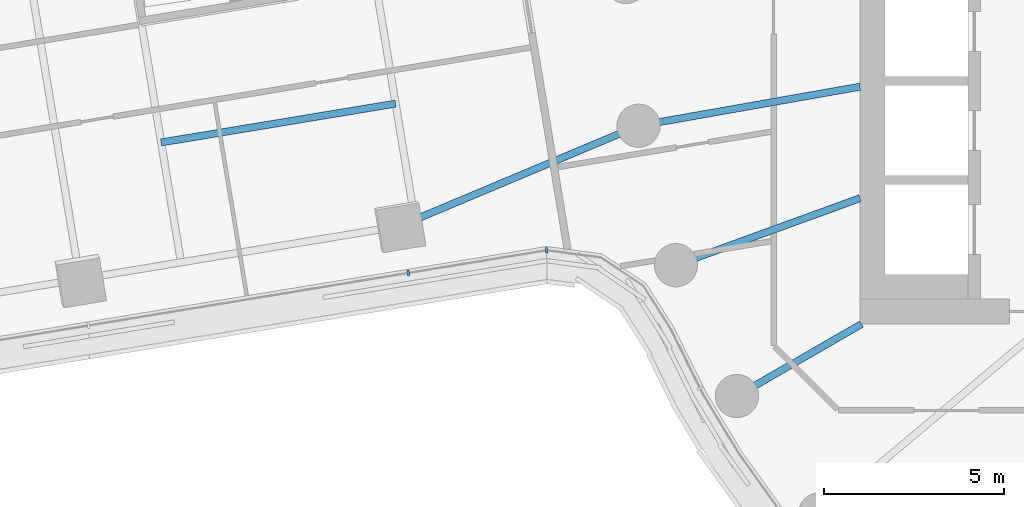
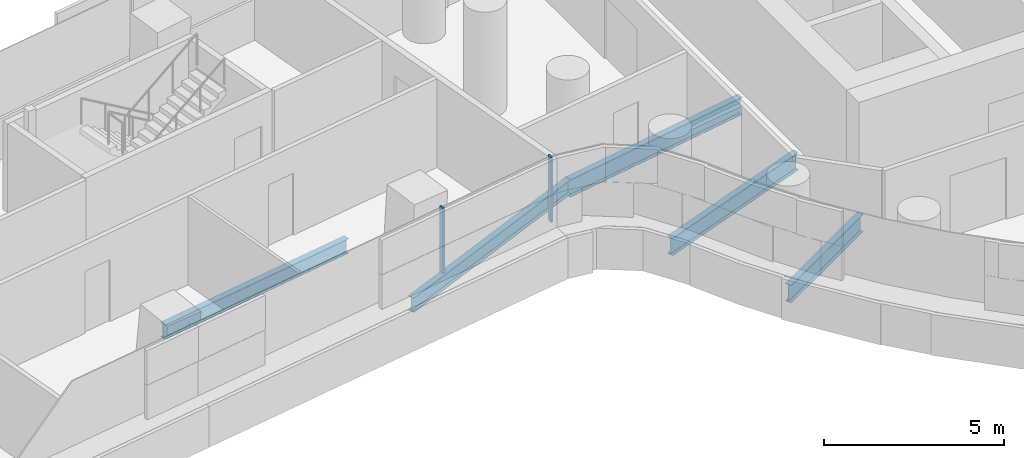
# One storey, part 7 of 32: 5 beams, 2 members, 2 elements without a shape of their own.
"""IFC4 building model written with IfcOpenShell, lengths in metres."""

import ifcopenshell
import ifcopenshell.guid

model = None  # the IFC model being written
_history = None  # IfcOwnerHistory: only IFC2X3 demands one
_inside = {}  # id of a spatial element -> (the spatial element, [elements in it])
_under = {}  # id of a project, library or spatial element -> (it, [spatial elements below it])
_declared = {}  # id of a project -> (the project, [libraries it declares])
_typed = {}  # id of a type object -> (the type object, [elements of that type])
_made_of = {}  # id of a material, layer set ... -> (it, [elements and type objects made of it])


def new_model(schema):
    """Start an empty IFC model of exactly this schema.

    Asked for "IFC4X3", IfcOpenShell would pick the latest addendum, in which some entities
    have other attributes; the version numbers below select the first issue.
    IFC2X3 requires an IfcOwnerHistory on every rooted entity: one is made here for all.
    """
    global model, _history
    if schema == "IFC4X3":
        model = ifcopenshell.file(schema_version=(4, 3, 0, 0))
    else:
        model = ifcopenshell.file(schema=schema)
    _inside.clear()
    _under.clear()
    _declared.clear()
    _typed.clear()
    _made_of.clear()
    _history = None
    if model.schema == "IFC2X3":
        org = make("IfcOrganization", Name="unknown")
        user = make(
            "IfcPersonAndOrganization",
            ThePerson=make("IfcPerson", FamilyName="unknown"),
            TheOrganization=org,
        )
        app = make(
            "IfcApplication",
            ApplicationDeveloper=org,
            Version="unknown",
            ApplicationFullName="unknown",
            ApplicationIdentifier="unknown",
        )
        _history = make(
            "IfcOwnerHistory",
            OwningUser=user,
            OwningApplication=app,
            ChangeAction="ADDED",
            CreationDate=0,
        )
    return model


def make(cls, **values):
    """One entity of the class cls with the attributes given. An attribute that is None is left unset."""
    return model.create_entity(
        cls, **{name: value for name, value in values.items() if value is not None}
    )


def rooted(cls, **values):
    """An entity with a GlobalId (a new one), such as an element, a storey or a relation."""
    return make(cls, GlobalId=ifcopenshell.guid.new(), OwnerHistory=_history, **values)


def si_unit(unit_type, name, prefix=None):
    """IfcSIUnit, for example si_unit("LENGTHUNIT", "METRE", prefix="MILLI")."""
    return make("IfcSIUnit", UnitType=unit_type, Prefix=prefix, Name=name)


def assignment(units):
    """IfcUnitAssignment: the units of a project."""
    return None if units is None else make("IfcUnitAssignment", Units=units)


def point(xyz):
    """IfcCartesianPoint."""
    return None if xyz is None else make("IfcCartesianPoint", Coordinates=xyz)


def direction(xyz):
    """IfcDirection."""
    return None if xyz is None else make("IfcDirection", DirectionRatios=xyz)


def frame(location, z_axis=None, x_axis=None):
    """IfcAxis2Placement3D, a coordinate frame: its origin and axes. An axis left out is left unset."""
    return make(
        "IfcAxis2Placement3D",
        Location=point(location),
        Axis=direction(z_axis),
        RefDirection=direction(x_axis),
    )


def frame_2d(location, x_axis=None):
    """IfcAxis2Placement2D, a coordinate frame in the plane: its origin and x axis."""
    return make(
        "IfcAxis2Placement2D", Location=point(location), RefDirection=direction(x_axis)
    )


def origin():
    """The frame at (0, 0, 0) with its axes left unset."""
    return frame((0.0, 0.0, 0.0))


def origin_2d():
    """The frame at (0, 0) in the plane with its x axis left unset."""
    return frame_2d((0.0, 0.0))


def place(relative_to, where):
    """IfcLocalPlacement: puts the frame where relative to a parent placement (None: the world)."""
    return make(
        "IfcLocalPlacement", PlacementRelTo=relative_to, RelativePlacement=where
    )


def context(
    kind, dimensions, precision=None, world=None, true_north=None, identifier=None
):
    """IfcGeometricRepresentationContext, for example the 3D "Model" context."""
    return make(
        "IfcGeometricRepresentationContext",
        ContextIdentifier=identifier,
        ContextType=kind,
        CoordinateSpaceDimension=dimensions,
        Precision=precision,
        WorldCoordinateSystem=world,
        TrueNorth=true_north,
    )


def subcontext(parent, identifier, kind, view, scale=None):
    """IfcGeometricRepresentationSubContext, for example "Body" below "Model"."""
    return make(
        "IfcGeometricRepresentationSubContext",
        ContextIdentifier=identifier,
        ContextType=kind,
        ParentContext=parent,
        TargetScale=scale,
        TargetView=view,
    )


def project(units=None, contexts=None):
    """IfcProject with its units and contexts."""
    return rooted(
        "IfcProject",
        Name="project",
        RepresentationContexts=contexts,
        UnitsInContext=assignment(units),
    )


def spatial(cls, under=None, at=None, **own):
    """A site, building, storey or space (cls), placed at a placement, below another one or the project."""
    s = rooted(cls, ObjectPlacement=at, **own)
    if under is not None:
        _under.setdefault(under.id(), (under, []))[1].append(s)
    return s


def profile(cls, at=None, kind="AREA", **sizes):
    """A parametric profile (cls). Its sizes go by their IFC names, for example OverallWidth=200.0."""
    return make(cls, ProfileType=kind, Position=at, **sizes)


def rectangle(**sizes):
    """IfcRectangleProfileDef."""
    return profile("IfcRectangleProfileDef", **sizes)


def i_section(**sizes):
    """IfcIShapeProfileDef."""
    return profile("IfcIShapeProfileDef", **sizes)


def extrude(swept, where, along, depth):
    """IfcExtrudedAreaSolid: the profile swept, set in the frame where, extruded along a direction by depth."""
    return make(
        "IfcExtrudedAreaSolid",
        SweptArea=swept,
        Position=where,
        ExtrudedDirection=direction(along),
        Depth=depth,
    )


def shape(context_of_items, identifier, shape_type, items):
    """IfcShapeRepresentation: the items that make up one representation, for example the "Body"."""
    return make(
        "IfcShapeRepresentation",
        ContextOfItems=context_of_items,
        RepresentationIdentifier=identifier,
        RepresentationType=shape_type,
        Items=items,
    )


def material(Name=None, Category=None):
    """IfcMaterial."""
    return make("IfcMaterial", Name=Name, Category=Category)


def layer(
    of_material, thickness, ventilated=None, Name=None, Category=None, Priority=None
):
    """IfcMaterialLayer: one layer of a wall or slab, of a material (None: an air gap)."""
    return make(
        "IfcMaterialLayer",
        Material=of_material,
        LayerThickness=thickness,
        IsVentilated=ventilated,
        Name=Name,
        Category=Category,
        Priority=Priority,
    )


def layer_set(layers, Name=None):
    """IfcMaterialLayerSet."""
    return make("IfcMaterialLayerSet", MaterialLayers=layers, LayerSetName=Name)


def material_profile(
    of_material, cross_section, Name=None, Category=None, Priority=None
):
    """IfcMaterialProfile: a cross section and its material."""
    return make(
        "IfcMaterialProfile",
        Name=Name,
        Material=of_material,
        Profile=cross_section,
        Priority=Priority,
        Category=Category,
    )


def profile_set(profiles, Name=None, composite=None):
    """IfcMaterialProfileSet."""
    return make(
        "IfcMaterialProfileSet",
        Name=Name,
        MaterialProfiles=profiles,
        CompositeProfile=composite,
    )


def made_of(thing, what):
    """Note that an element or type object is made of a material, layer set ...; save() writes the relation."""
    if what is not None:
        _made_of.setdefault(what.id(), (what, []))[1].append(thing)
    return thing


def type_object(cls, material=None, **own):
    """A type object (cls), such as IfcWallType, which elements share."""
    return made_of(rooted(cls, **own), material)


def element(
    cls,
    number,
    at=None,
    inside=None,
    cuts=None,
    type_object=None,
    material=None,
    context=None,
    identifier="Body",
    shape_type=None,
    held_by="IfcProductDefinitionShape",
    body=None,
    shapes=None,
    **own,
):
    """One element of the class cls, such as IfcWall. Its Tag is "e" and its number.

    at: its placement. inside: the storey or other place that contains it. cuts: it is an
    opening in that element (IfcRelVoidsElement). A single representation is given by context,
    identifier, shape_type and body (its items); several are given by shapes. held_by: the class
    of the entity that holds the representations. save() writes the other relations.
    """
    e = rooted(cls, Tag="e%d" % number, ObjectPlacement=at, **own)
    if body is not None:
        shapes = [shape(context, identifier, shape_type, body)]
    if shapes is not None:
        e.Representation = make(held_by, Representations=shapes)
    if inside is not None:
        _inside.setdefault(inside.id(), (inside, []))[1].append(e)
    if cuts is not None:
        rooted(
            "IfcRelVoidsElement", RelatingBuildingElement=cuts, RelatedOpeningElement=e
        )
    if type_object is not None:
        _typed.setdefault(type_object.id(), (type_object, []))[1].append(e)
    return made_of(e, material)


def aggregate(whole, parts):
    """IfcRelAggregates: a whole, such as a stair, and the parts it consists of."""
    return rooted("IfcRelAggregates", RelatingObject=whole, RelatedObjects=parts)


def save(model, path):
    """Write the relations noted so far, then the file.

    IfcRelAggregates (storeys below a building ...), IfcRelContainedInSpatialStructure (elements
    in a storey), IfcRelDefinesByType, IfcRelAssociatesMaterial and IfcRelDeclares: one each for
    every whole, place, type object, material and project.
    """
    for whole, parts in _under.values():
        aggregate(whole, parts)
    for where, things in _inside.values():
        rooted(
            "IfcRelContainedInSpatialStructure",
            RelatedElements=things,
            RelatingStructure=where,
        )
    for kind, things in _typed.values():
        rooted("IfcRelDefinesByType", RelatedObjects=things, RelatingType=kind)
    for what, things in _made_of.values():
        rooted("IfcRelAssociatesMaterial", RelatedObjects=things, RelatingMaterial=what)
    for by, libraries in _declared.values():
        rooted("IfcRelDeclares", RelatingContext=by, RelatedDefinitions=libraries)
    model.write(path)


model = new_model("IFC4")

# Units and contexts
model_context = context("Model", 3, precision=1e-05, world=origin(), true_north=direction((0.0, 1.0)))
body_context = subcontext(model_context, "Body", "Model", "MODEL_VIEW")
ifc_project = project(units=[si_unit("LENGTHUNIT", "METRE"), si_unit("AREAUNIT", "SQUARE_METRE"), si_unit("VOLUMEUNIT", "CUBIC_METRE"), si_unit("PLANEANGLEUNIT", "RADIAN"), si_unit("MASSUNIT", "GRAM", prefix="KILO")], contexts=[model_context])

# Site, building, storey
site_placement = place(None, origin())
site = spatial("IfcSite", under=ifc_project, at=site_placement, CompositionType="ELEMENT")
building_placement = place(site_placement, origin())
building = spatial("IfcBuilding", under=site, at=building_placement, Name="Tamarind Cross Interchange Tower", CompositionType="ELEMENT")
storey_placement = place(building_placement, frame((0.0, 0.0, 67.75)))
storey = spatial("IfcBuildingStorey", under=building, at=storey_placement, Name="L15", CompositionType="ELEMENT", Elevation=67.75)

# Beams
ifc_material_1 = material(Name="Steel Q355B", Category="steel")
ifc_material_profile_1 = material_profile(ifc_material_1, i_section(OverallWidth=0.198974609375, OverallDepth=0.49609375, WebThickness=0.009033203125, FlangeThickness=0.013916015625, FilletRadius=0.012939453125, at=origin_2d()), Name="HN 496x199x9x14")
ifc_profile_set_1 = profile_set([ifc_material_profile_1], Name="Steel Q355B")
beam_type_1 = type_object("IfcBeamType", Name="Composite beam HN 496x199x9x14 Q355B", PredefinedType="BEAM", material=ifc_profile_set_1)
beam_1_placement = place(storey_placement, frame((-29.289794921875, -6.7822265625, -0.387939453125), z_axis=(0.921987915658, 0.387218650611, 0.0), x_axis=(-0.387218650611, 0.921987915658, 0.0)))
element("IfcBeam", 1, at=beam_1_placement, inside=storey, type_object=beam_type_1, Name="Beam W-linkep", PredefinedType="BEAM", context=body_context, shape_type="SweptSolid", body=[
    extrude(i_section(OverallWidth=0.198974609375, OverallDepth=0.49609375, WebThickness=0.009033203125, FlangeThickness=0.013916015625, FilletRadius=0.012939453125, at=origin_2d()), origin(), (0.0, 0.0, 1.0), 7.200927734375),
])
beam_2_placement = place(storey_placement, frame((-29.397216796875, -3.37890625, -0.387939453125), z_axis=(-0.986562357601, -0.163385172417, 0.0), x_axis=(0.163385172417, -0.986562357601, 0.0)))
element("IfcBeam", 2, at=beam_2_placement, inside=storey, type_object=beam_type_1, Name="Beam W-stripp", PredefinedType="BEAM", context=body_context, shape_type="SweptSolid", body=[
    extrude(i_section(OverallWidth=0.198974609375, OverallDepth=0.49609375, WebThickness=0.009033203125, FlangeThickness=0.013916015625, FilletRadius=0.012939453125, at=origin_2d()), origin(), (0.0, 0.0, 1.0), 6.60009765625),
])
ifc_material_profile_2 = material_profile(ifc_material_1, i_section(OverallWidth=0.198974609375, OverallDepth=0.595947265625, WebThickness=0.010009765625, FlangeThickness=0.014892578125, FilletRadius=0.012939453125, at=origin_2d()), Name="HN 596x199x10x15")
ifc_profile_set_2 = profile_set([ifc_material_profile_2], Name="Steel Q355B")
beam_type_2 = type_object("IfcBeamType", Name="Composite beam HN 596x199x10x15 Q355B", PredefinedType="BEAM", material=ifc_profile_set_2)
beam_3_placement = place(storey_placement, frame((-22.650634765625, -3.993896484375, -0.43798828125), z_axis=(0.984809127561, 0.173640382036, 0.0), x_axis=(-0.173640382036, 0.984809127561, 0.0)))
element("IfcBeam", 3, at=beam_3_placement, inside=storey, type_object=beam_type_2, Name="Beam HH19", PredefinedType="BEAM", context=body_context, shape_type="SweptSolid", body=[
    extrude(i_section(OverallWidth=0.198974609375, OverallDepth=0.595947265625, WebThickness=0.010009765625, FlangeThickness=0.014892578125, FilletRadius=0.012939453125, at=origin_2d()), origin(), (0.0, 0.0, 1.0), 6.24560546875),
])
beam_4_placement = place(storey_placement, frame((-21.613037109375, -7.866455078125, -0.43798828125), z_axis=(0.939701685589, 0.341995236956, 0.0), x_axis=(-0.341995236956, 0.939701685589, 0.0)))
element("IfcBeam", 4, at=beam_4_placement, inside=storey, type_object=beam_type_2, Name="Beam HH20", PredefinedType="BEAM", context=body_context, shape_type="SweptSolid", body=[
    extrude(i_section(OverallWidth=0.198974609375, OverallDepth=0.595947265625, WebThickness=0.010009765625, FlangeThickness=0.014892578125, FilletRadius=0.012939453125, at=origin_2d()), origin(), (0.0, 0.0, 1.0), 5.441162109375),
])
beam_5_placement = place(storey_placement, frame((-19.918701171875, -11.5, -0.43798828125), z_axis=(0.866026010844, 0.49999894854, 0.0), x_axis=(-0.49999894854, 0.866026010844, 0.0)))
element("IfcBeam", 5, at=beam_5_placement, inside=storey, type_object=beam_type_2, Name="Beam HH21", PredefinedType="BEAM", context=body_context, shape_type="SweptSolid", body=[
    extrude(i_section(OverallWidth=0.198974609375, OverallDepth=0.595947265625, WebThickness=0.010009765625, FlangeThickness=0.014892578125, FilletRadius=0.012939453125, at=origin_2d()), origin(), (0.0, 0.0, 1.0), 4.0),
])

# Curtain wall, member
ifc_material_2 = material(Name="Aluminium 6063-T6", Category="aluminium")
ifc_layer = layer(ifc_material_2, 0.159912109375)
ifc_layer_set = layer_set([ifc_layer], Name="Aluminium 6063-T6")
curtain_wall_type = type_object("IfcCurtainWallType", Name="Office curtain wall, 9.0 m bays", PredefinedType="NOTDEFINED", material=ifc_layer_set)
curtain_wall_1_placement = place(storey_placement, origin())
curtain_wall_1 = element("IfcCurtainWall", 6, at=curtain_wall_1_placement, inside=storey, type_object=curtain_wall_type, Name="CWS-L15-05", PredefinedType="NOTDEFINED")
ifc_material_profile_3 = material_profile(ifc_material_2, rectangle(XDim=0.06005859375, YDim=0.159912109375, at=origin_2d()), Name="Mullion CW1")
ifc_profile_set_3 = profile_set([ifc_material_profile_3], Name="Aluminium 6063-T6")
member_type = type_object("IfcMemberType", Name="Mullion CW1", PredefinedType="MULLION", material=ifc_profile_set_3)
member_1_placement = place(storey_placement, frame((-29.045166015625, -8.08056640625, 1.39990234375), z_axis=(0.0, 0.0, 1.0), x_axis=(0.986763854922, 0.162163789482, 0.0)))
member_1 = element("IfcMember", 7, at=member_1_placement, type_object=member_type, Name="CWM-L15-05-02", PredefinedType="MULLION", context=body_context, shape_type="SweptSolid", body=[
    extrude(rectangle(XDim=0.06005859375, YDim=0.159912109375, at=origin_2d()), origin(), (0.0, 0.0, 1.0), 2.210205078125),
])
aggregate(curtain_wall_1, [member_1])

curtain_wall_2_placement = place(storey_placement, origin())
curtain_wall_2 = element("IfcCurtainWall", 8, at=curtain_wall_2_placement, inside=storey, type_object=curtain_wall_type, Name="CWS-L15-06", PredefinedType="NOTDEFINED")
member_2_placement = place(storey_placement, frame((-25.202880859375, -7.448974609375, 1.39990234375), z_axis=(0.0, 0.0, 1.0), x_axis=(0.999883237179, 0.015281099723, 0.0)))
member_2 = element("IfcMember", 9, at=member_2_placement, type_object=member_type, Name="CWM-L15-06-00", PredefinedType="MULLION", context=body_context, shape_type="SweptSolid", body=[
    extrude(rectangle(XDim=0.06005859375, YDim=0.159912109375, at=origin_2d()), origin(), (0.0, 0.0, 1.0), 2.210205078125),
])
aggregate(curtain_wall_2, [member_2])

save(model, "model.ifc")
